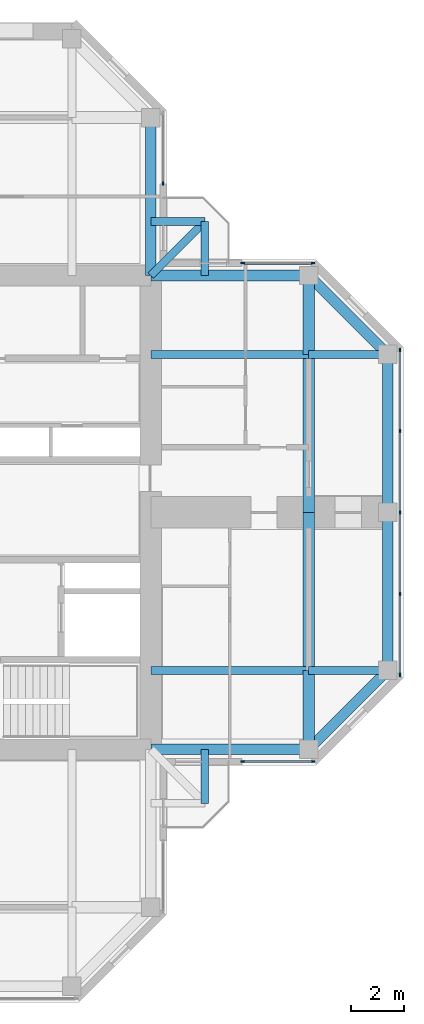
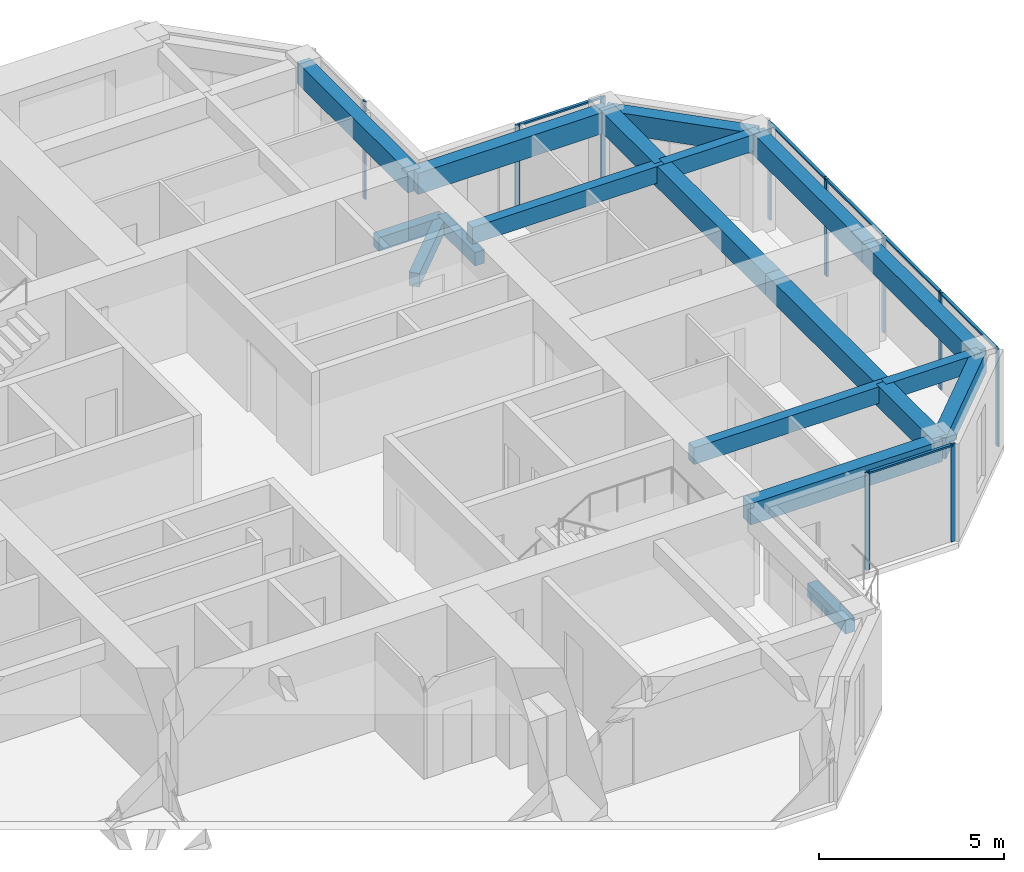
# One storey, part 5 of 14: 19 beams, 16 members, 4 elements without a shape of their own.
"""IFC4 building model written with IfcOpenShell, lengths in metres."""

import ifcopenshell
import ifcopenshell.guid

model = None  # the IFC model being written
_history = None  # IfcOwnerHistory: only IFC2X3 demands one
_inside = {}  # id of a spatial element -> (the spatial element, [elements in it])
_under = {}  # id of a project, library or spatial element -> (it, [spatial elements below it])
_declared = {}  # id of a project -> (the project, [libraries it declares])
_typed = {}  # id of a type object -> (the type object, [elements of that type])
_made_of = {}  # id of a material, layer set ... -> (it, [elements and type objects made of it])


def new_model(schema):
    """Start an empty IFC model of exactly this schema.

    Asked for "IFC4X3", IfcOpenShell would pick the latest addendum, in which some entities
    have other attributes; the version numbers below select the first issue.
    IFC2X3 requires an IfcOwnerHistory on every rooted entity: one is made here for all.
    """
    global model, _history
    if schema == "IFC4X3":
        model = ifcopenshell.file(schema_version=(4, 3, 0, 0))
    else:
        model = ifcopenshell.file(schema=schema)
    _inside.clear()
    _under.clear()
    _declared.clear()
    _typed.clear()
    _made_of.clear()
    _history = None
    if model.schema == "IFC2X3":
        org = make("IfcOrganization", Name="unknown")
        user = make(
            "IfcPersonAndOrganization",
            ThePerson=make("IfcPerson", FamilyName="unknown"),
            TheOrganization=org,
        )
        app = make(
            "IfcApplication",
            ApplicationDeveloper=org,
            Version="unknown",
            ApplicationFullName="unknown",
            ApplicationIdentifier="unknown",
        )
        _history = make(
            "IfcOwnerHistory",
            OwningUser=user,
            OwningApplication=app,
            ChangeAction="ADDED",
            CreationDate=0,
        )
    return model


def make(cls, **values):
    """One entity of the class cls with the attributes given. An attribute that is None is left unset."""
    return model.create_entity(
        cls, **{name: value for name, value in values.items() if value is not None}
    )


def rooted(cls, **values):
    """An entity with a GlobalId (a new one), such as an element, a storey or a relation."""
    return make(cls, GlobalId=ifcopenshell.guid.new(), OwnerHistory=_history, **values)


def si_unit(unit_type, name, prefix=None):
    """IfcSIUnit, for example si_unit("LENGTHUNIT", "METRE", prefix="MILLI")."""
    return make("IfcSIUnit", UnitType=unit_type, Prefix=prefix, Name=name)


def assignment(units):
    """IfcUnitAssignment: the units of a project."""
    return None if units is None else make("IfcUnitAssignment", Units=units)


def point(xyz):
    """IfcCartesianPoint."""
    return None if xyz is None else make("IfcCartesianPoint", Coordinates=xyz)


def direction(xyz):
    """IfcDirection."""
    return None if xyz is None else make("IfcDirection", DirectionRatios=xyz)


def frame(location, z_axis=None, x_axis=None):
    """IfcAxis2Placement3D, a coordinate frame: its origin and axes. An axis left out is left unset."""
    return make(
        "IfcAxis2Placement3D",
        Location=point(location),
        Axis=direction(z_axis),
        RefDirection=direction(x_axis),
    )


def frame_2d(location, x_axis=None):
    """IfcAxis2Placement2D, a coordinate frame in the plane: its origin and x axis."""
    return make(
        "IfcAxis2Placement2D", Location=point(location), RefDirection=direction(x_axis)
    )


def origin():
    """The frame at (0, 0, 0) with its axes left unset."""
    return frame((0.0, 0.0, 0.0))


def origin_2d():
    """The frame at (0, 0) in the plane with its x axis left unset."""
    return frame_2d((0.0, 0.0))


def place(relative_to, where):
    """IfcLocalPlacement: puts the frame where relative to a parent placement (None: the world)."""
    return make(
        "IfcLocalPlacement", PlacementRelTo=relative_to, RelativePlacement=where
    )


def context(
    kind, dimensions, precision=None, world=None, true_north=None, identifier=None
):
    """IfcGeometricRepresentationContext, for example the 3D "Model" context."""
    return make(
        "IfcGeometricRepresentationContext",
        ContextIdentifier=identifier,
        ContextType=kind,
        CoordinateSpaceDimension=dimensions,
        Precision=precision,
        WorldCoordinateSystem=world,
        TrueNorth=true_north,
    )


def subcontext(parent, identifier, kind, view, scale=None):
    """IfcGeometricRepresentationSubContext, for example "Body" below "Model"."""
    return make(
        "IfcGeometricRepresentationSubContext",
        ContextIdentifier=identifier,
        ContextType=kind,
        ParentContext=parent,
        TargetScale=scale,
        TargetView=view,
    )


def project(units=None, contexts=None):
    """IfcProject with its units and contexts."""
    return rooted(
        "IfcProject",
        Name="project",
        RepresentationContexts=contexts,
        UnitsInContext=assignment(units),
    )


def spatial(cls, under=None, at=None, **own):
    """A site, building, storey or space (cls), placed at a placement, below another one or the project."""
    s = rooted(cls, ObjectPlacement=at, **own)
    if under is not None:
        _under.setdefault(under.id(), (under, []))[1].append(s)
    return s


def profile(cls, at=None, kind="AREA", **sizes):
    """A parametric profile (cls). Its sizes go by their IFC names, for example OverallWidth=200.0."""
    return make(cls, ProfileType=kind, Position=at, **sizes)


def rectangle(**sizes):
    """IfcRectangleProfileDef."""
    return profile("IfcRectangleProfileDef", **sizes)


def extrude(swept, where, along, depth):
    """IfcExtrudedAreaSolid: the profile swept, set in the frame where, extruded along a direction by depth."""
    return make(
        "IfcExtrudedAreaSolid",
        SweptArea=swept,
        Position=where,
        ExtrudedDirection=direction(along),
        Depth=depth,
    )


def shape(context_of_items, identifier, shape_type, items):
    """IfcShapeRepresentation: the items that make up one representation, for example the "Body"."""
    return make(
        "IfcShapeRepresentation",
        ContextOfItems=context_of_items,
        RepresentationIdentifier=identifier,
        RepresentationType=shape_type,
        Items=items,
    )


def material(Name=None, Category=None):
    """IfcMaterial."""
    return make("IfcMaterial", Name=Name, Category=Category)


def material_profile(
    of_material, cross_section, Name=None, Category=None, Priority=None
):
    """IfcMaterialProfile: a cross section and its material."""
    return make(
        "IfcMaterialProfile",
        Name=Name,
        Material=of_material,
        Profile=cross_section,
        Priority=Priority,
        Category=Category,
    )


def profile_set(profiles, Name=None, composite=None):
    """IfcMaterialProfileSet."""
    return make(
        "IfcMaterialProfileSet",
        Name=Name,
        MaterialProfiles=profiles,
        CompositeProfile=composite,
    )


def made_of(thing, what):
    """Note that an element or type object is made of a material, layer set ...; save() writes the relation."""
    if what is not None:
        _made_of.setdefault(what.id(), (what, []))[1].append(thing)
    return thing


def type_object(cls, material=None, **own):
    """A type object (cls), such as IfcWallType, which elements share."""
    return made_of(rooted(cls, **own), material)


def element(
    cls,
    number,
    at=None,
    inside=None,
    cuts=None,
    type_object=None,
    material=None,
    context=None,
    identifier="Body",
    shape_type=None,
    held_by="IfcProductDefinitionShape",
    body=None,
    shapes=None,
    **own,
):
    """One element of the class cls, such as IfcWall. Its Tag is "e" and its number.

    at: its placement. inside: the storey or other place that contains it. cuts: it is an
    opening in that element (IfcRelVoidsElement). A single representation is given by context,
    identifier, shape_type and body (its items); several are given by shapes. held_by: the class
    of the entity that holds the representations. save() writes the other relations.
    """
    e = rooted(cls, Tag="e%d" % number, ObjectPlacement=at, **own)
    if body is not None:
        shapes = [shape(context, identifier, shape_type, body)]
    if shapes is not None:
        e.Representation = make(held_by, Representations=shapes)
    if inside is not None:
        _inside.setdefault(inside.id(), (inside, []))[1].append(e)
    if cuts is not None:
        rooted(
            "IfcRelVoidsElement", RelatingBuildingElement=cuts, RelatedOpeningElement=e
        )
    if type_object is not None:
        _typed.setdefault(type_object.id(), (type_object, []))[1].append(e)
    return made_of(e, material)


def aggregate(whole, parts):
    """IfcRelAggregates: a whole, such as a stair, and the parts it consists of."""
    return rooted("IfcRelAggregates", RelatingObject=whole, RelatedObjects=parts)


def save(model, path):
    """Write the relations noted so far, then the file.

    IfcRelAggregates (storeys below a building ...), IfcRelContainedInSpatialStructure (elements
    in a storey), IfcRelDefinesByType, IfcRelAssociatesMaterial and IfcRelDeclares: one each for
    every whole, place, type object, material and project.
    """
    for whole, parts in _under.values():
        aggregate(whole, parts)
    for where, things in _inside.values():
        rooted(
            "IfcRelContainedInSpatialStructure",
            RelatedElements=things,
            RelatingStructure=where,
        )
    for kind, things in _typed.values():
        rooted("IfcRelDefinesByType", RelatedObjects=things, RelatingType=kind)
    for what, things in _made_of.values():
        rooted("IfcRelAssociatesMaterial", RelatedObjects=things, RelatingMaterial=what)
    for by, libraries in _declared.values():
        rooted("IfcRelDeclares", RelatingContext=by, RelatedDefinitions=libraries)
    model.write(path)


model = new_model("IFC4")

# Units and contexts
model_context = context("Model", 3, precision=1e-05, world=origin(), true_north=direction((0.0, 1.0)))
body_context = subcontext(model_context, "Body", "Model", "MODEL_VIEW")
ifc_project = project(units=[si_unit("LENGTHUNIT", "METRE"), si_unit("AREAUNIT", "SQUARE_METRE"), si_unit("VOLUMEUNIT", "CUBIC_METRE"), si_unit("PLANEANGLEUNIT", "RADIAN"), si_unit("MASSUNIT", "GRAM", prefix="KILO")], contexts=[model_context])

# Site, building, storey
site_placement = place(None, origin())
site = spatial("IfcSite", under=ifc_project, at=site_placement, CompositionType="ELEMENT")
building_placement = place(site_placement, origin())
building = spatial("IfcBuilding", under=site, at=building_placement, Name="Torre Cruceta", CompositionType="ELEMENT")
storey_placement = place(building_placement, frame((0.0, 0.0, 257.699951171875)))
storey = spatial("IfcBuildingStorey", under=building, at=storey_placement, Name="L66", CompositionType="ELEMENT", Elevation=257.699951171875)

# Beams
ifc_material_1 = material(Name="Concrete G60 (fck 60 MPa)", Category="concrete")
ifc_material_profile_1 = material_profile(ifc_material_1, rectangle(XDim=0.300048828125, YDim=0.449951171875, at=origin_2d()), Name="RC 300X450")
ifc_profile_set_1 = profile_set([ifc_material_profile_1], Name="Concrete G60 (fck 60 MPa)")
beam_type_1 = type_object("IfcBeamType", Name="BALCONY CANTILEVER BEAM RC 300X450", PredefinedType="BEAM", material=ifc_profile_set_1)
beam_1_placement = place(storey_placement, frame((9.0, 9.0, -0.405029296875), z_axis=(0.707106781187, 0.707106781187, 0.0), x_axis=(-0.707106781187, 0.707106781187, 0.0)))
element("IfcBeam", 1, at=beam_1_placement, inside=storey, type_object=beam_type_1, Name="BB1 balcony beam L66 E", PredefinedType="BEAM", context=body_context, shape_type="SweptSolid", body=[
    extrude(rectangle(XDim=0.300048828125, YDim=0.449951171875, at=origin_2d()), origin(), (0.0, 0.0, 1.0), 2.89990234375),
])
for number, where, z_axis, x_axis, name in (
    (2, (11.050537109375, 9.0, -0.405029296875), (0.0, 1.0, 0.0), (-1.0, 0.0, 0.0), "BB1 balcony edge beam L66 E-X"),
    (3, (9.0, 11.050537109375, -0.405029296875), (1.0, 0.0, 0.0), (0.0, 1.0, 0.0), "BB1 balcony edge beam L66 E-Y"),
    (4, (11.050537109375, -9.0, -0.405029296875), (0.0, -1.0, 0.0), (1.0, 0.0, 0.0), "BB1 balcony edge beam L66 S-X"),
):
    element("IfcBeam", number, at=place(storey_placement, frame(where, z_axis=z_axis, x_axis=x_axis)), inside=storey, type_object=beam_type_1, Name=name, PredefinedType="BEAM", context=body_context, shape_type="SweptSolid", body=[
        extrude(rectangle(XDim=0.300048828125, YDim=0.449951171875, at=origin_2d()), origin(), (0.0, 0.0, 1.0), 2.050537109375),
    ])
ifc_material_2 = material(Name="Concrete G60 (fck 60 MPa)", Category="concrete")
ifc_material_profile_2 = material_profile(ifc_material_2, rectangle(XDim=0.300048828125, YDim=0.550048828125, at=origin_2d()), Name="RC 300X550")
ifc_profile_set_2 = profile_set([ifc_material_profile_2], Name="Concrete G60 (fck 60 MPa)")
beam_type_2 = type_object("IfcBeamType", Name="COLUMN LINE BEAM RC 300X550", PredefinedType="BEAM", material=ifc_profile_set_2)
beam_2_placement = place(storey_placement, frame((9.0, -6.0, 2.945068359375), z_axis=(1.0, 0.0, 0.0), x_axis=(0.0, 1.0, 0.0)))
element("IfcBeam", 5, at=beam_2_placement, inside=storey, type_object=beam_type_2, Name="LB10 L66 E col- 1", PredefinedType="BEAM", context=body_context, shape_type="SweptSolid", body=[
    extrude(rectangle(XDim=0.300048828125, YDim=0.550048828125, at=origin_2d()), origin(), (0.0, 0.0, 1.0), 6.0),
])
beam_3_placement = place(storey_placement, frame((15.0, -6.0, 2.945068359375), z_axis=(1.0, 0.0, 0.0), x_axis=(0.0, 1.0, 0.0)))
element("IfcBeam", 6, at=beam_3_placement, inside=storey, type_object=beam_type_2, Name="LB10 L66 E col- 2", PredefinedType="BEAM", context=body_context, shape_type="SweptSolid", body=[
    extrude(rectangle(XDim=0.300048828125, YDim=0.550048828125, at=origin_2d()), origin(), (0.0, 0.0, 1.0), 3.0),
])
beam_4_placement = place(storey_placement, frame((9.0, 6.0, 2.945068359375), z_axis=(1.0, 0.0, 0.0), x_axis=(0.0, 1.0, 0.0)))
element("IfcBeam", 7, at=beam_4_placement, inside=storey, type_object=beam_type_2, Name="LB10 L66 E col+ 1", PredefinedType="BEAM", context=body_context, shape_type="SweptSolid", body=[
    extrude(rectangle(XDim=0.300048828125, YDim=0.550048828125, at=origin_2d()), origin(), (0.0, 0.0, 1.0), 6.0),
])
beam_5_placement = place(storey_placement, frame((15.0, 6.0, 2.945068359375), z_axis=(1.0, 0.0, 0.0), x_axis=(0.0, 1.0, 0.0)))
element("IfcBeam", 8, at=beam_5_placement, inside=storey, type_object=beam_type_2, Name="LB10 L66 E col+ 2", PredefinedType="BEAM", context=body_context, shape_type="SweptSolid", body=[
    extrude(rectangle(XDim=0.300048828125, YDim=0.550048828125, at=origin_2d()), origin(), (0.0, 0.0, 1.0), 3.0),
])
ifc_material_3 = material(Name="Concrete G60 (fck 60 MPa)", Category="concrete")
ifc_material_profile_3 = material_profile(ifc_material_3, rectangle(XDim=0.449951171875, YDim=0.699951171875, at=origin_2d()), Name="RC 450X700")
ifc_profile_set_3 = profile_set([ifc_material_profile_3], Name="Concrete G60 (fck 60 MPa)")
beam_type_3 = type_object("IfcBeamType", Name="CROSS BEAM RC 450X700", PredefinedType="BEAM", material=ifc_profile_set_3)
beam_6_placement = place(storey_placement, frame((15.0, -9.0, 2.8701171875), z_axis=(0.0, 1.0, 0.0), x_axis=(-1.0, 0.0, 0.0)))
element("IfcBeam", 9, at=beam_6_placement, inside=storey, type_object=beam_type_3, Name="GB8 L66 E cross15 1", PredefinedType="BEAM", context=body_context, shape_type="SweptSolid", body=[
    extrude(rectangle(XDim=0.449951171875, YDim=0.699951171875, at=origin_2d()), origin(), (0.0, 0.0, 1.0), 3.0),
])
for number, where, z_axis, x_axis, name in (
    (10, (15.0, -6.0, 2.8701171875), (0.0, 1.0, 0.0), (-1.0, 0.0, 0.0), "GB8 L66 E cross15 2"),
    (11, (15.0, 0.0, 2.8701171875), (0.0, 1.0, 0.0), (-1.0, 0.0, 0.0), "GB8 L66 E cross15 3"),
):
    element("IfcBeam", number, at=place(storey_placement, frame(where, z_axis=z_axis, x_axis=x_axis)), inside=storey, type_object=beam_type_3, Name=name, PredefinedType="BEAM", context=body_context, shape_type="SweptSolid", body=[
        extrude(rectangle(XDim=0.449951171875, YDim=0.699951171875, at=origin_2d()), origin(), (0.0, 0.0, 1.0), 6.0),
    ])
beam_7_placement = place(storey_placement, frame((15.0, 6.0, 2.8701171875), z_axis=(0.0, 1.0, 0.0), x_axis=(-1.0, 0.0, 0.0)))
element("IfcBeam", 12, at=beam_7_placement, inside=storey, type_object=beam_type_3, Name="GB8 L66 E cross15 4", PredefinedType="BEAM", context=body_context, shape_type="SweptSolid", body=[
    extrude(rectangle(XDim=0.449951171875, YDim=0.699951171875, at=origin_2d()), origin(), (0.0, 0.0, 1.0), 3.0),
])

# Curtain wall, members
ifc_material_4 = material(Name="Aluminium unitised curtain wall", Category="aluminium")
curtain_wall_type = type_object("IfcCurtainWallType", Name="CURTAIN WALL CW-E CO-LIVING TOP", PredefinedType="USERDEFINED", material=ifc_material_4)
curtain_wall_1_placement = place(storey_placement, origin())
curtain_wall_1 = element("IfcCurtainWall", 13, at=curtain_wall_1_placement, inside=storey, type_object=curtain_wall_type, Name="CW-E L66 E side 00", ObjectType="UNITISED", PredefinedType="USERDEFINED")
ifc_material_5 = material(Name="Aluminium mullion", Category="aluminium")
ifc_material_profile_4 = material_profile(ifc_material_5, rectangle(XDim=0.054931640625, YDim=0.139892578125, at=origin_2d()), Name="AL 55X140")
ifc_profile_set_4 = profile_set([ifc_material_profile_4], Name="Aluminium mullion")
member_type_1 = type_object("IfcMemberType", Name="CW-E MULLION 55X140", PredefinedType="MULLION", material=ifc_profile_set_4)
member_1_placement = place(storey_placement, frame((12.49755859375, -9.469970703125, 0.0), z_axis=(0.0, 0.0, 1.0), x_axis=(0.0, 1.0, 0.0)))
member_1 = element("IfcMember", 14, at=member_1_placement, type_object=member_type_1, Name="CW-E mullion 1", PredefinedType="MULLION", context=body_context, shape_type="SweptSolid", body=[
    extrude(rectangle(XDim=0.054931640625, YDim=0.139892578125, at=origin_2d()), origin(), (0.0, 0.0, 1.0), 3.219970703125),
])
member_2_placement = place(storey_placement, frame((15.167236328125, -9.469970703125, 0.0), z_axis=(0.0, 0.0, 1.0), x_axis=(0.0, 1.0, 0.0)))
member_2 = element("IfcMember", 15, at=member_2_placement, type_object=member_type_1, Name="CW-E mullion 2", PredefinedType="MULLION", context=body_context, shape_type="SweptSolid", body=[
    extrude(rectangle(XDim=0.054931640625, YDim=0.139892578125, at=origin_2d()), origin(), (0.0, 0.0, 1.0), 3.219970703125),
])

curtain_wall_2_placement = place(storey_placement, origin())
curtain_wall_2 = element("IfcCurtainWall", 16, at=curtain_wall_2_placement, inside=storey, type_object=curtain_wall_type, Name="CW-E L66 E tip 02", ObjectType="UNITISED", PredefinedType="USERDEFINED")
member_3_placement = place(storey_placement, frame((18.469970703125, -6.167236328125, 0.0), z_axis=(0.0, 0.0, 1.0), x_axis=(-1.0, 0.0, 0.0)))
member_3 = element("IfcMember", 17, at=member_3_placement, type_object=member_type_1, Name="CW-E mullion 1", PredefinedType="MULLION", context=body_context, shape_type="SweptSolid", body=[
    extrude(rectangle(XDim=0.054931640625, YDim=0.139892578125, at=origin_2d()), origin(), (0.0, 0.0, 1.0), 3.219970703125),
])
member_4_placement = place(storey_placement, frame((18.469970703125, -3.097412109375, 0.0), z_axis=(0.0, 0.0, 1.0), x_axis=(-1.0, 0.0, 0.0)))
member_4 = element("IfcMember", 18, at=member_4_placement, type_object=member_type_1, Name="CW-E mullion 2", PredefinedType="MULLION", context=body_context, shape_type="SweptSolid", body=[
    extrude(rectangle(XDim=0.054931640625, YDim=0.139892578125, at=origin_2d()), origin(), (0.0, 0.0, 1.0), 3.219970703125),
])
member_5_placement = place(storey_placement, frame((18.469970703125, 0.0, 0.0), z_axis=(0.0, 0.0, 1.0), x_axis=(-1.0, 0.0, 0.0)))
member_5 = element("IfcMember", 19, at=member_5_placement, type_object=member_type_1, Name="CW-E mullion 3", PredefinedType="MULLION", context=body_context, shape_type="SweptSolid", body=[
    extrude(rectangle(XDim=0.054931640625, YDim=0.139892578125, at=origin_2d()), origin(), (0.0, 0.0, 1.0), 3.219970703125),
])
member_6_placement = place(storey_placement, frame((18.469970703125, 3.097412109375, 0.0), z_axis=(0.0, 0.0, 1.0), x_axis=(-1.0, 0.0, 0.0)))
member_6 = element("IfcMember", 20, at=member_6_placement, type_object=member_type_1, Name="CW-E mullion 4", PredefinedType="MULLION", context=body_context, shape_type="SweptSolid", body=[
    extrude(rectangle(XDim=0.054931640625, YDim=0.139892578125, at=origin_2d()), origin(), (0.0, 0.0, 1.0), 3.219970703125),
])
member_7_placement = place(storey_placement, frame((18.469970703125, 6.167236328125, 0.0), z_axis=(0.0, 0.0, 1.0), x_axis=(-1.0, 0.0, 0.0)))
member_7 = element("IfcMember", 21, at=member_7_placement, type_object=member_type_1, Name="CW-E mullion 5", PredefinedType="MULLION", context=body_context, shape_type="SweptSolid", body=[
    extrude(rectangle(XDim=0.054931640625, YDim=0.139892578125, at=origin_2d()), origin(), (0.0, 0.0, 1.0), 3.219970703125),
])

curtain_wall_3_placement = place(storey_placement, origin())
curtain_wall_3 = element("IfcCurtainWall", 22, at=curtain_wall_3_placement, inside=storey, type_object=curtain_wall_type, Name="CW-E L66 E side 04", ObjectType="UNITISED", PredefinedType="USERDEFINED")
member_8_placement = place(storey_placement, frame((15.167236328125, 9.469970703125, 0.0), z_axis=(0.0, 0.0, 1.0), x_axis=(0.0, -1.0, 0.0)))
member_8 = element("IfcMember", 23, at=member_8_placement, type_object=member_type_1, Name="CW-E mullion 1", PredefinedType="MULLION", context=body_context, shape_type="SweptSolid", body=[
    extrude(rectangle(XDim=0.054931640625, YDim=0.139892578125, at=origin_2d()), origin(), (0.0, 0.0, 1.0), 3.219970703125),
])
member_9_placement = place(storey_placement, frame((12.49755859375, 9.469970703125, 0.0), z_axis=(0.0, 0.0, 1.0), x_axis=(0.0, -1.0, 0.0)))
member_9 = element("IfcMember", 24, at=member_9_placement, type_object=member_type_1, Name="CW-E mullion 2", PredefinedType="MULLION", context=body_context, shape_type="SweptSolid", body=[
    extrude(rectangle(XDim=0.054931640625, YDim=0.139892578125, at=origin_2d()), origin(), (0.0, 0.0, 1.0), 3.219970703125),
])

# Curtain wall, member
curtain_wall_4_placement = place(storey_placement, origin())
curtain_wall_4 = element("IfcCurtainWall", 25, at=curtain_wall_4_placement, inside=storey, type_object=curtain_wall_type, Name="CW-E L66 N side 05", ObjectType="UNITISED", PredefinedType="USERDEFINED")
member_10_placement = place(storey_placement, frame((9.469970703125, 12.49755859375, 0.0), z_axis=(0.0, 0.0, 1.0), x_axis=(-1.0, 0.0, 0.0)))
member_10 = element("IfcMember", 26, at=member_10_placement, type_object=member_type_1, Name="CW-E mullion 1", PredefinedType="MULLION", context=body_context, shape_type="SweptSolid", body=[
    extrude(rectangle(XDim=0.054931640625, YDim=0.139892578125, at=origin_2d()), origin(), (0.0, 0.0, 1.0), 3.219970703125),
])
aggregate(curtain_wall_4, [member_10])

# Member
ifc_material_6 = material(Name="Aluminium transom", Category="aluminium")
ifc_material_profile_5 = material_profile(ifc_material_6, rectangle(XDim=0.090087890625, YDim=0.054931640625, at=origin_2d()), Name="AL 90X55")
ifc_profile_set_5 = profile_set([ifc_material_profile_5], Name="Aluminium transom")
member_type_2 = type_object("IfcMemberType", Name="CW-E TRANSOM 55X90", PredefinedType="USERDEFINED", material=ifc_profile_set_5)
member_11_placement = place(storey_placement, frame((12.52490234375, -9.469970703125, 3.192626953125), z_axis=(1.0, 0.0, 0.0), x_axis=(0.0, 1.0, 0.0)))
member_11 = element("IfcMember", 27, at=member_11_placement, type_object=member_type_2, Name="CW-E transom 1", ObjectType="TRANSOM", PredefinedType="USERDEFINED", context=body_context, shape_type="SweptSolid", body=[
    extrude(rectangle(XDim=0.090087890625, YDim=0.054931640625, at=origin_2d()), origin(), (0.0, 0.0, 1.0), 2.61474609375),
])

aggregate(curtain_wall_1, [member_1, member_2, member_11])

member_12_placement = place(storey_placement, frame((18.469970703125, -6.1396484375, 3.192626953125), z_axis=(0.0, 1.0, 0.0), x_axis=(-1.0, 0.0, 0.0)))
member_12 = element("IfcMember", 28, at=member_12_placement, type_object=member_type_2, Name="CW-E transom 1", ObjectType="TRANSOM", PredefinedType="USERDEFINED", context=body_context, shape_type="SweptSolid", body=[
    extrude(rectangle(XDim=0.090087890625, YDim=0.054931640625, at=origin_2d()), origin(), (0.0, 0.0, 1.0), 3.014892578125),
])

member_13_placement = place(storey_placement, frame((18.469970703125, -3.06982421875, 3.192626953125), z_axis=(0.0, 1.0, 0.0), x_axis=(-1.0, 0.0, 0.0)))
member_13 = element("IfcMember", 29, at=member_13_placement, type_object=member_type_2, Name="CW-E transom 2", ObjectType="TRANSOM", PredefinedType="USERDEFINED", context=body_context, shape_type="SweptSolid", body=[
    extrude(rectangle(XDim=0.090087890625, YDim=0.054931640625, at=origin_2d()), origin(), (0.0, 0.0, 1.0), 3.042236328125),
])

member_14_placement = place(storey_placement, frame((18.469970703125, 0.027587890625, 3.192626953125), z_axis=(0.0, 1.0, 0.0), x_axis=(-1.0, 0.0, 0.0)))
member_14 = element("IfcMember", 30, at=member_14_placement, type_object=member_type_2, Name="CW-E transom 3", ObjectType="TRANSOM", PredefinedType="USERDEFINED", context=body_context, shape_type="SweptSolid", body=[
    extrude(rectangle(XDim=0.090087890625, YDim=0.054931640625, at=origin_2d()), origin(), (0.0, 0.0, 1.0), 3.042236328125),
])

member_15_placement = place(storey_placement, frame((18.469970703125, 3.124755859375, 3.192626953125), z_axis=(0.0, 1.0, 0.0), x_axis=(-1.0, 0.0, 0.0)))
member_15 = element("IfcMember", 31, at=member_15_placement, type_object=member_type_2, Name="CW-E transom 4", ObjectType="TRANSOM", PredefinedType="USERDEFINED", context=body_context, shape_type="SweptSolid", body=[
    extrude(rectangle(XDim=0.090087890625, YDim=0.054931640625, at=origin_2d()), origin(), (0.0, 0.0, 1.0), 3.014892578125),
])

aggregate(curtain_wall_2, [member_3, member_4, member_5, member_6, member_7, member_12, member_13, member_14, member_15])

member_16_placement = place(storey_placement, frame((15.1396484375, 9.469970703125, 3.192626953125), z_axis=(-1.0, 0.0, 0.0), x_axis=(0.0, -1.0, 0.0)))
member_16 = element("IfcMember", 32, at=member_16_placement, type_object=member_type_2, Name="CW-E transom 1", ObjectType="TRANSOM", PredefinedType="USERDEFINED", context=body_context, shape_type="SweptSolid", body=[
    extrude(rectangle(XDim=0.090087890625, YDim=0.054931640625, at=origin_2d()), origin(), (0.0, 0.0, 1.0), 2.61474609375),
])

aggregate(curtain_wall_3, [member_8, member_9, member_16])

# Beams
ifc_material_7 = material(Name="Concrete G60 (fck 60 MPa)", Category="concrete")
ifc_material_profile_6 = material_profile(ifc_material_7, rectangle(XDim=0.39990234375, YDim=0.699951171875, at=origin_2d()), Name="RC 400X700")
ifc_profile_set_6 = profile_set([ifc_material_profile_6], Name="Concrete G60 (fck 60 MPa)")
beam_type_4 = type_object("IfcBeamType", Name="SPANDREL BEAM RC 400X700", PredefinedType="SPANDREL", material=ifc_profile_set_6)
for number, where, z_axis, x_axis, name in (
    (33, (9.0, 9.0, 2.8701171875), (0.0, 1.0, 0.0), (-1.0, 0.0, 0.0), "SB8 L66 N side- 1"),
    (34, (9.0, -9.0, 2.8701171875), (1.0, 0.0, 0.0), (0.0, 1.0, 0.0), "SB8 L66 E side- 1"),
):
    element("IfcBeam", number, at=place(storey_placement, frame(where, z_axis=z_axis, x_axis=x_axis)), inside=storey, type_object=beam_type_4, Name=name, PredefinedType="SPANDREL", context=body_context, shape_type="SweptSolid", body=[
        extrude(rectangle(XDim=0.39990234375, YDim=0.699951171875, at=origin_2d()), origin(), (0.0, 0.0, 1.0), 6.0),
    ])
beam_8_placement = place(storey_placement, frame((15.0, -9.0, 2.8701171875), z_axis=(0.707106781187, 0.707106781187, 0.0), x_axis=(-0.707106781187, 0.707106781187, 0.0)))
element("IfcBeam", 35, at=beam_8_placement, inside=storey, type_object=beam_type_4, Name="SB8 L66 E side- 2", PredefinedType="SPANDREL", context=body_context, shape_type="SweptSolid", body=[
    extrude(rectangle(XDim=0.39990234375, YDim=0.699951171875, at=origin_2d()), origin(), (0.0, 0.0, 1.0), 4.24267578125),
])
beam_9_placement = place(storey_placement, frame((9.0, 9.0, 2.8701171875), z_axis=(1.0, 0.0, 0.0), x_axis=(0.0, 1.0, 0.0)))
element("IfcBeam", 36, at=beam_9_placement, inside=storey, type_object=beam_type_4, Name="SB8 L66 E side+ 1", PredefinedType="SPANDREL", context=body_context, shape_type="SweptSolid", body=[
    extrude(rectangle(XDim=0.39990234375, YDim=0.699951171875, at=origin_2d()), origin(), (0.0, 0.0, 1.0), 6.0),
])
beam_10_placement = place(storey_placement, frame((15.0, 9.0, 2.8701171875), z_axis=(0.707106781187, -0.707106781187, 0.0), x_axis=(0.707106781187, 0.707106781187, 0.0)))
element("IfcBeam", 37, at=beam_10_placement, inside=storey, type_object=beam_type_4, Name="SB8 L66 E side+ 2", PredefinedType="SPANDREL", context=body_context, shape_type="SweptSolid", body=[
    extrude(rectangle(XDim=0.39990234375, YDim=0.699951171875, at=origin_2d()), origin(), (0.0, 0.0, 1.0), 4.24267578125),
])
for number, where, z_axis, x_axis, name in (
    (38, (18.0, -6.0, 2.8701171875), (0.0, 1.0, 0.0), (-1.0, 0.0, 0.0), "SB8 L66 E tip 1"),
    (39, (18.0, 0.0, 2.8701171875), (0.0, 1.0, 0.0), (-1.0, 0.0, 0.0), "SB8 L66 E tip 2"),
):
    element("IfcBeam", number, at=place(storey_placement, frame(where, z_axis=z_axis, x_axis=x_axis)), inside=storey, type_object=beam_type_4, Name=name, PredefinedType="SPANDREL", context=body_context, shape_type="SweptSolid", body=[
        extrude(rectangle(XDim=0.39990234375, YDim=0.699951171875, at=origin_2d()), origin(), (0.0, 0.0, 1.0), 6.0),
    ])

save(model, "model.ifc")
